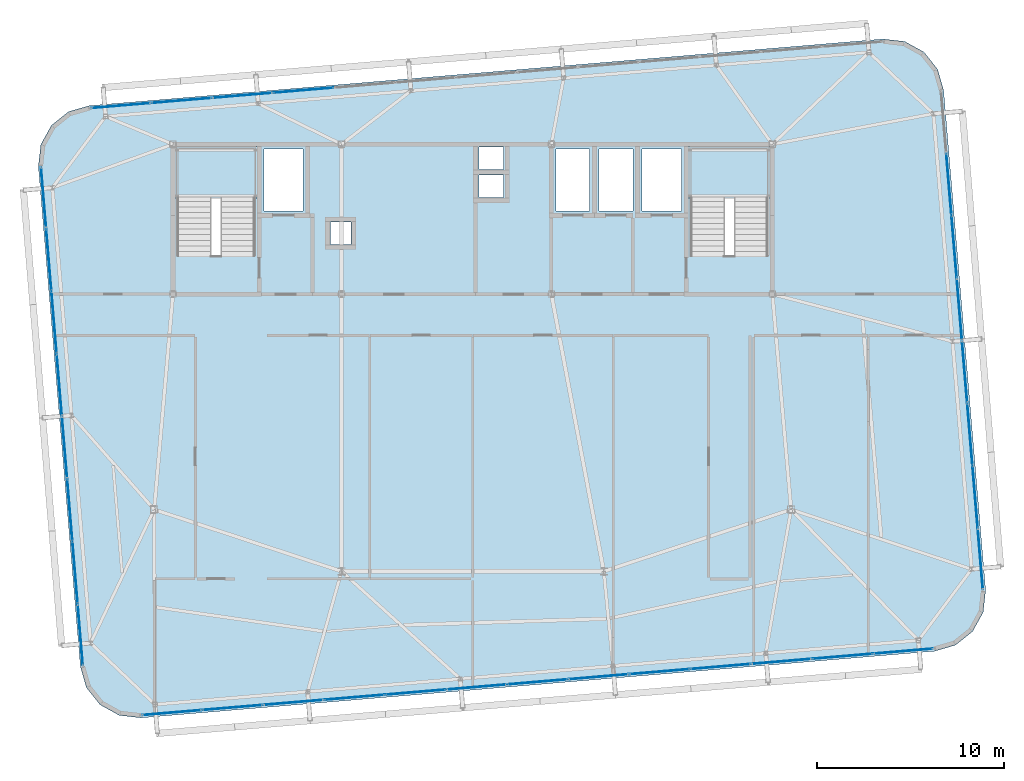
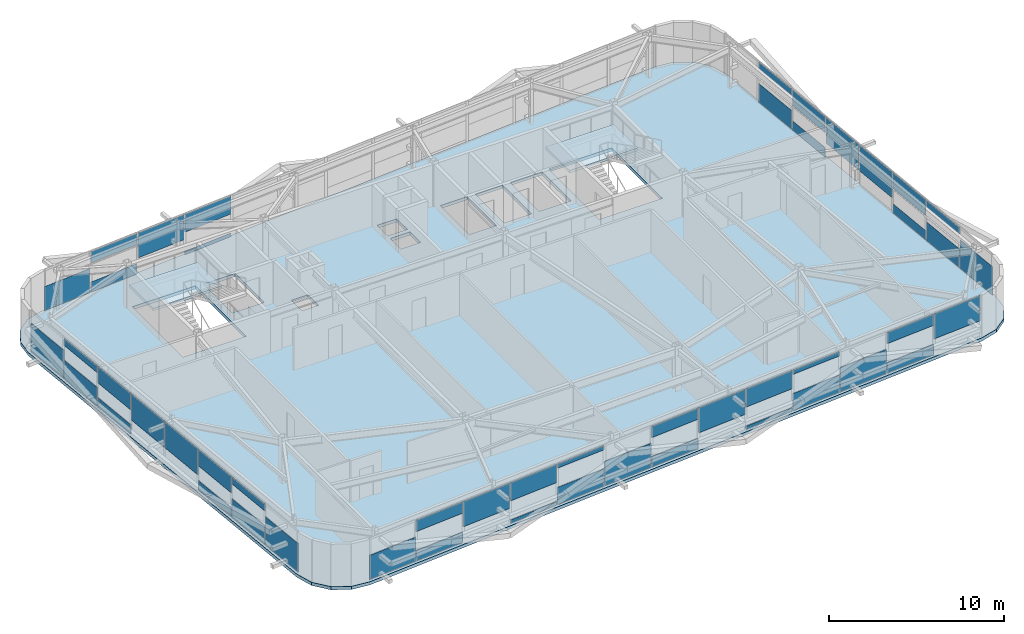
# One storey, part 32 of 46: 49 plates, 3 slabs, 6 elements without a shape of their own.
"""IFC4 building model written with IfcOpenShell, lengths in metres."""

from ifc_helpers import new_model, si_unit, direction, frame, origin, origin_2d, place, context, subcontext, project, spatial, polyline, rectangle, outline, extrude, source, transform, mapped, material, layer, layer_set, type_object, element, aggregate, save


model = new_model("IFC4")

# Units and contexts
model_context = context("Model", 3, precision=1e-05, world=origin(), true_north=direction((0.0, 1.0)))
body_context = subcontext(model_context, "Body", "Model", "MODEL_VIEW")
ifc_project = project(units=[si_unit("LENGTHUNIT", "METRE"), si_unit("AREAUNIT", "SQUARE_METRE"), si_unit("VOLUMEUNIT", "CUBIC_METRE"), si_unit("PLANEANGLEUNIT", "RADIAN"), si_unit("MASSUNIT", "GRAM", prefix="KILO")], contexts=[model_context])

# Site, building, storey
site_placement = place(None, origin())
site = spatial("IfcSite", under=ifc_project, at=site_placement, CompositionType="ELEMENT")
building_placement = place(site_placement, origin())
building = spatial("IfcBuilding", under=site, at=building_placement, Name="Taldren Reach Tower", CompositionType="ELEMENT")
storey_placement = place(building_placement, frame((0.0, 0.0, 188.300048828125)))
storey = spatial("IfcBuildingStorey", under=building, at=storey_placement, Name="L57", CompositionType="ELEMENT", Elevation=188.300048828125)

# Slab
ifc_material_1 = material(Name="Concrete N40 (40 MPa)", Category="concrete")
ifc_layer_1 = layer(ifc_material_1, 0.219970703125)
ifc_layer_set_1 = layer_set([ifc_layer_1], Name="Concrete N40 (40 MPa)")
slab_type_1 = type_object("IfcSlabType", Name="SL-FLR-220", PredefinedType="FLOOR", material=ifc_layer_set_1)
slab_1_placement = place(storey_placement, frame((0.0, 0.0, -0.219970703125)))
element("IfcSlab", 1, at=slab_1_placement, inside=storey, type_object=slab_type_1, Name="Suspended floor slab L57", PredefinedType="FLOOR", context=body_context, shape_type="SweptSolid", body=[
    extrude(outline(polyline([(59.647705078125, 4.935791015625), (60.772705078125, 5.25927734375), (61.688232421875, 5.98876953125), (62.254638671875, 7.012939453125), (62.38623046875, 8.17626953125), (60.1435546875, 34.882080078125), (59.820068359375, 36.007080078125), (59.090576171875, 36.922607421875), (58.06640625, 37.4892578125), (56.903076171875, 37.62060546875), (14.55224609375, 34.064208984375), (13.42724609375, 33.74072265625), (12.511962890625, 33.01123046875), (11.9453125, 31.987060546875), (11.813720703125, 30.82373046875), (14.056396484375, 4.117919921875), (14.3798828125, 2.992919921875), (15.109375, 2.077392578125), (16.1337890625, 1.5107421875), (17.296875, 1.37939453125), (59.647705078125, 4.935791015625)]), holes=[polyline([(19.219970703125, 26.050048828125), (23.3798828125, 26.050048828125), (23.3798828125, 31.820068359375), (19.219970703125, 31.820068359375), (19.219970703125, 26.050048828125)]), polyline([(46.6201171875, 26.050048828125), (50.780029296875, 26.050048828125), (50.780029296875, 31.820068359375), (46.6201171875, 31.820068359375), (46.6201171875, 26.050048828125)]), polyline([(23.85009765625, 28.449951171875), (25.949951171875, 28.449951171875), (25.949951171875, 31.75), (23.85009765625, 31.75), (23.85009765625, 28.449951171875)]), polyline([(44.050048828125, 28.449951171875), (46.14990234375, 28.449951171875), (46.14990234375, 31.75), (44.050048828125, 31.75), (44.050048828125, 28.449951171875)]), polyline([(39.449951171875, 28.449951171875), (41.25, 28.449951171875), (41.25, 31.75), (39.449951171875, 31.75), (39.449951171875, 28.449951171875)]), polyline([(41.75, 28.449951171875), (43.550048828125, 28.449951171875), (43.550048828125, 31.75), (41.75, 31.75), (41.75, 28.449951171875)]), polyline([(35.35009765625, 30.64990234375), (36.64990234375, 30.64990234375), (36.64990234375, 31.85009765625), (35.35009765625, 31.85009765625), (35.35009765625, 30.64990234375)]), polyline([(35.35009765625, 29.14990234375), (36.64990234375, 29.14990234375), (36.64990234375, 30.35009765625), (35.35009765625, 30.35009765625), (35.35009765625, 29.14990234375)]), polyline([(27.39990234375, 26.64990234375), (28.5, 26.64990234375), (28.5, 27.85009765625), (27.39990234375, 27.85009765625), (27.39990234375, 26.64990234375)])]), origin(), (0.0, 0.0, 1.0), 0.219970703125),
])

# Stair, slab
ifc_material_2 = material(Name="Concrete S50 (50 MPa)", Category="concrete")
stair_type = type_object("IfcStairType", Name="ST-HT-315", PredefinedType="HALF_TURN_STAIR", material=ifc_material_2)
stair_1_placement = place(storey_placement, origin())
stair_1 = element("IfcStair", 2, at=stair_1_placement, inside=storey, type_object=stair_type, Name="Fire-isolated exit stair ST1 L57", PredefinedType="HALF_TURN_STAIR")
ifc_layer_2 = layer(ifc_material_2, 0.179931640625)
ifc_layer_set_2 = layer_set([ifc_layer_2], Name="Concrete S50 (50 MPa)")
slab_type_2 = type_object("IfcSlabType", Name="SL-LAND-180", PredefinedType="LANDING", material=ifc_layer_set_2)
slab_2_placement = place(storey_placement, frame((0.0, 0.0, 1.39501953125)))
slab_2 = element("IfcSlab", 3, at=slab_2_placement, type_object=slab_type_2, Name="ST1 landing 1", PredefinedType="LANDING", context=body_context, shape_type="SweptSolid", body=[
    extrude(outline(polyline([(19.0400390625, 29.135009765625), (23.56005859375, 29.135009765625), (23.56005859375, 31.8701171875), (19.0400390625, 31.8701171875), (19.0400390625, 29.135009765625)])), origin(), (0.0, 0.0, 1.0), 0.179931640625),
])
aggregate(stair_1, [slab_2])

stair_2_placement = place(storey_placement, origin())
stair_2 = element("IfcStair", 4, at=stair_2_placement, inside=storey, type_object=stair_type, Name="Fire-isolated exit stair ST2 L57", PredefinedType="HALF_TURN_STAIR")
slab_3_placement = place(storey_placement, frame((0.0, 0.0, 1.39501953125)))
slab_3 = element("IfcSlab", 5, at=slab_3_placement, type_object=slab_type_2, Name="ST2 landing 1", PredefinedType="LANDING", context=body_context, shape_type="SweptSolid", body=[
    extrude(outline(polyline([(46.43994140625, 29.135009765625), (50.9599609375, 29.135009765625), (50.9599609375, 31.8701171875), (46.43994140625, 31.8701171875), (46.43994140625, 29.135009765625)])), origin(), (0.0, 0.0, 1.0), 0.179931640625),
])
aggregate(stair_2, [slab_3])

# Curtain wall, plates
ifc_material_3 = material(Name="Aluminium and Low-E Glass Unitised System", Category="aluminium")
ifc_layer_3 = layer(ifc_material_3, 0.159912109375)
ifc_layer_set_3 = layer_set([ifc_layer_3], Name="Aluminium and Low-E Glass Unitised System")
curtain_wall_type = type_object("IfcCurtainWallType", Name="CW-SYS-5", PredefinedType="NOTDEFINED", material=ifc_layer_set_3)
curtain_wall_1_placement = place(storey_placement, origin())
curtain_wall_1 = element("IfcCurtainWall", 6, at=curtain_wall_1_placement, inside=storey, type_object=curtain_wall_type, Name="Unitised curtain wall CW-L57-S", PredefinedType="NOTDEFINED")
ifc_material_4 = material(Name="Acoustic Triple-Laminated IGU", Category="glass")
ifc_layer_4 = layer(ifc_material_4, 0.035888671875)
ifc_layer_set_4 = layer_set([ifc_layer_4], Name="Acoustic Triple-Laminated IGU")
plate_type = type_object("IfcPlateType", Name="CW-PNL-IGU36", PredefinedType="CURTAIN_PANEL", material=ifc_layer_set_4)
shared_shape_1 = source(origin(), body_context, "Body", "SweptSolid", [
    extrude(rectangle(XDim=3.164306640625, YDim=0.035888671875, at=origin_2d()), origin(), (0.0, 0.0, 1.0), 1.734130859375),
])
plate_1_placement = place(storey_placement, frame((57.98974609375, 4.93701171875, 1.1357421875), z_axis=(0.0, 0.0, 1.0), x_axis=(0.996492854922, 0.083677894865, 0.0)))
plate_1 = element("IfcPlate", 7, at=plate_1_placement, type_object=plate_type, Name="CW-5 panel 13.1 part 1", PredefinedType="CURTAIN_PANEL", context=body_context, shape_type="MappedRepresentation", body=[
    mapped(shared_shape_1, transform((0.0, 0.0, 0.0), scale=1.0)),
])
shared_shape_2 = source(origin(), body_context, "Body", "SweptSolid", [
    extrude(rectangle(XDim=3.19921875, YDim=0.035888671875, at=origin_2d()), origin(), (0.0, 0.0, 1.0), 0.711181640625),
])
plate_2_placement = place(storey_placement, frame((54.74951171875, 4.664794921875, 0.06005859375), z_axis=(0.0, 0.0, 1.0), x_axis=(0.996492854922, 0.083677894865, 0.0)))
plate_2 = element("IfcPlate", 8, at=plate_2_placement, type_object=plate_type, Name="CW-5 panel 12.1 part 1", PredefinedType="CURTAIN_PANEL", context=body_context, shape_type="MappedRepresentation", body=[
    mapped(shared_shape_2, transform((0.0, 0.0, 0.0), scale=1.0)),
])
shared_shape_3 = source(origin(), body_context, "Body", "SweptSolid", [
    extrude(rectangle(XDim=3.19921875, YDim=0.035888671875, at=origin_2d()), origin(), (0.0, 0.0, 1.0), 0.762939453125),
])
plate_3_placement = place(storey_placement, frame((54.74951171875, 4.664794921875, 2.10693359375), z_axis=(0.0, 0.0, 1.0), x_axis=(0.996492854922, 0.083677894865, 0.0)))
plate_3 = element("IfcPlate", 9, at=plate_3_placement, type_object=plate_type, Name="CW-5 panel 12.1 part 2", PredefinedType="CURTAIN_PANEL", context=body_context, shape_type="MappedRepresentation", body=[
    mapped(shared_shape_3, transform((0.0, 0.0, 0.0), scale=1.0)),
])
shared_shape_4 = source(origin(), body_context, "Body", "SweptSolid", [
    extrude(rectangle(XDim=3.19921875, YDim=0.035888671875, at=origin_2d()), origin(), (0.0, 0.0, 1.0), 1.682373046875),
])
plate_4_placement = place(storey_placement, frame((51.49169921875, 4.391357421875, 0.06005859375), z_axis=(0.0, 0.0, 1.0), x_axis=(0.996492854922, 0.083677894865, 0.0)))
plate_4 = element("IfcPlate", 10, at=plate_4_placement, type_object=plate_type, Name="CW-5 panel 11.1 part 1", PredefinedType="CURTAIN_PANEL", context=body_context, shape_type="MappedRepresentation", body=[
    mapped(shared_shape_4, transform((0.0, 0.0, 0.0), scale=1.0)),
])
shared_shape_5 = source(origin(), body_context, "Body", "SweptSolid", [
    extrude(rectangle(XDim=3.19921875, YDim=0.035888671875, at=origin_2d()), origin(), (0.0, 0.0, 1.0), 1.190673828125),
])
plate_5_placement = place(storey_placement, frame((48.23388671875, 4.11767578125, 0.06005859375), z_axis=(0.0, 0.0, 1.0), x_axis=(0.996492854922, 0.083677894865, 0.0)))
plate_5 = element("IfcPlate", 11, at=plate_5_placement, type_object=plate_type, Name="CW-5 panel 10.1 part 1", PredefinedType="CURTAIN_PANEL", context=body_context, shape_type="MappedRepresentation", body=[
    mapped(shared_shape_5, transform((0.0, 0.0, 0.0), scale=1.0)),
])
shared_shape_6 = source(origin(), body_context, "Body", "SweptSolid", [
    extrude(rectangle(XDim=3.19921875, YDim=0.035888671875, at=origin_2d()), origin(), (0.0, 0.0, 1.0), 0.283447265625),
])
plate_6_placement = place(storey_placement, frame((48.23388671875, 4.11767578125, 2.58642578125), z_axis=(0.0, 0.0, 1.0), x_axis=(0.996492854922, 0.083677894865, 0.0)))
plate_6 = element("IfcPlate", 12, at=plate_6_placement, type_object=plate_type, Name="CW-5 panel 10.1 part 2", PredefinedType="CURTAIN_PANEL", context=body_context, shape_type="MappedRepresentation", body=[
    mapped(shared_shape_6, transform((0.0, 0.0, 0.0), scale=1.0)),
])
shared_shape_7 = source(origin(), body_context, "Body", "SweptSolid", [
    extrude(rectangle(XDim=3.19921875, YDim=0.035888671875, at=origin_2d()), origin(), (0.0, 0.0, 1.0), 0.219482421875),
])
plate_7_placement = place(storey_placement, frame((44.97607421875, 3.84423828125, 0.06005859375), z_axis=(0.0, 0.0, 1.0), x_axis=(0.996492854922, 0.083677894865, 0.0)))
plate_7 = element("IfcPlate", 13, at=plate_7_placement, type_object=plate_type, Name="CW-5 panel 9.1 part 1", PredefinedType="CURTAIN_PANEL", context=body_context, shape_type="MappedRepresentation", body=[
    mapped(shared_shape_7, transform((0.0, 0.0, 0.0), scale=1.0)),
])
shared_shape_8 = source(origin(), body_context, "Body", "SweptSolid", [
    extrude(rectangle(XDim=3.19921875, YDim=0.035888671875, at=origin_2d()), origin(), (0.0, 0.0, 1.0), 1.254638671875),
])
plate_8_placement = place(storey_placement, frame((44.97607421875, 3.84423828125, 1.615234375), z_axis=(0.0, 0.0, 1.0), x_axis=(0.996492854922, 0.083677894865, 0.0)))
plate_8 = element("IfcPlate", 14, at=plate_8_placement, type_object=plate_type, Name="CW-5 panel 9.1 part 2", PredefinedType="CURTAIN_PANEL", context=body_context, shape_type="MappedRepresentation", body=[
    mapped(shared_shape_8, transform((0.0, 0.0, 0.0), scale=1.0)),
])
shared_shape_9 = source(origin(), body_context, "Body", "SweptSolid", [
    extrude(rectangle(XDim=3.19921875, YDim=0.035888671875, at=origin_2d()), origin(), (0.0, 0.0, 1.0), 1.73828125),
])
plate_9_placement = place(storey_placement, frame((41.71826171875, 3.570556640625, 1.131591796875), z_axis=(0.0, 0.0, 1.0), x_axis=(0.996492854922, 0.083677894865, 0.0)))
plate_9 = element("IfcPlate", 15, at=plate_9_placement, type_object=plate_type, Name="CW-5 panel 8.1 part 1", PredefinedType="CURTAIN_PANEL", context=body_context, shape_type="MappedRepresentation", body=[
    mapped(shared_shape_9, transform((0.0, 0.0, 0.0), scale=1.0)),
])
shared_shape_10 = source(origin(), body_context, "Body", "SweptSolid", [
    extrude(rectangle(XDim=3.19921875, YDim=0.035888671875, at=origin_2d()), origin(), (0.0, 0.0, 1.0), 0.70703125),
])
plate_10_placement = place(storey_placement, frame((38.460693359375, 3.297119140625, 0.06005859375), z_axis=(0.0, 0.0, 1.0), x_axis=(0.996492854922, 0.083677894865, 0.0)))
plate_10 = element("IfcPlate", 16, at=plate_10_placement, type_object=plate_type, Name="CW-5 panel 7.1 part 1", PredefinedType="CURTAIN_PANEL", context=body_context, shape_type="MappedRepresentation", body=[
    mapped(shared_shape_10, transform((0.0, 0.0, 0.0), scale=1.0)),
])
shared_shape_11 = source(origin(), body_context, "Body", "SweptSolid", [
    extrude(rectangle(XDim=3.19921875, YDim=0.035888671875, at=origin_2d()), origin(), (0.0, 0.0, 1.0), 0.76708984375),
])
plate_11_placement = place(storey_placement, frame((38.460693359375, 3.297119140625, 2.102783203125), z_axis=(0.0, 0.0, 1.0), x_axis=(0.996492854922, 0.083677894865, 0.0)))
plate_11 = element("IfcPlate", 17, at=plate_11_placement, type_object=plate_type, Name="CW-5 panel 7.1 part 2", PredefinedType="CURTAIN_PANEL", context=body_context, shape_type="MappedRepresentation", body=[
    mapped(shared_shape_11, transform((0.0, 0.0, 0.0), scale=1.0)),
])
shared_shape_12 = source(origin(), body_context, "Body", "SweptSolid", [
    extrude(rectangle(XDim=3.19921875, YDim=0.035888671875, at=origin_2d()), origin(), (0.0, 0.0, 1.0), 1.67822265625),
])
plate_12_placement = place(storey_placement, frame((35.202880859375, 3.0234375, 0.06005859375), z_axis=(0.0, 0.0, 1.0), x_axis=(0.996492854922, 0.083677894865, 0.0)))
plate_12 = element("IfcPlate", 18, at=plate_12_placement, type_object=plate_type, Name="CW-5 panel 6.1 part 1", PredefinedType="CURTAIN_PANEL", context=body_context, shape_type="MappedRepresentation", body=[
    mapped(shared_shape_12, transform((0.0, 0.0, 0.0), scale=1.0)),
])
shared_shape_13 = source(origin(), body_context, "Body", "SweptSolid", [
    extrude(rectangle(XDim=3.19921875, YDim=0.035888671875, at=origin_2d()), origin(), (0.0, 0.0, 1.0), 1.194580078125),
])
plate_13_placement = place(storey_placement, frame((31.945068359375, 2.75, 0.06005859375), z_axis=(0.0, 0.0, 1.0), x_axis=(0.996492854922, 0.083677894865, 0.0)))
plate_13 = element("IfcPlate", 19, at=plate_13_placement, type_object=plate_type, Name="CW-5 panel 5.1 part 1", PredefinedType="CURTAIN_PANEL", context=body_context, shape_type="MappedRepresentation", body=[
    mapped(shared_shape_13, transform((0.0, 0.0, 0.0), scale=1.0)),
])
shared_shape_14 = source(origin(), body_context, "Body", "SweptSolid", [
    extrude(rectangle(XDim=3.19921875, YDim=0.035888671875, at=origin_2d()), origin(), (0.0, 0.0, 1.0), 0.279296875),
])
plate_14_placement = place(storey_placement, frame((31.945068359375, 2.75, 2.590576171875), z_axis=(0.0, 0.0, 1.0), x_axis=(0.996492854922, 0.083677894865, 0.0)))
plate_14 = element("IfcPlate", 20, at=plate_14_placement, type_object=plate_type, Name="CW-5 panel 5.1 part 2", PredefinedType="CURTAIN_PANEL", context=body_context, shape_type="MappedRepresentation", body=[
    mapped(shared_shape_14, transform((0.0, 0.0, 0.0), scale=1.0)),
])
shared_shape_15 = source(origin(), body_context, "Body", "SweptSolid", [
    extrude(rectangle(XDim=3.19921875, YDim=0.035888671875, at=origin_2d()), origin(), (0.0, 0.0, 1.0), 0.223388671875),
])
plate_15_placement = place(storey_placement, frame((28.687255859375, 2.476318359375, 0.06005859375), z_axis=(0.0, 0.0, 1.0), x_axis=(0.996492854922, 0.083677894865, 0.0)))
plate_15 = element("IfcPlate", 21, at=plate_15_placement, type_object=plate_type, Name="CW-5 panel 4.1 part 1", PredefinedType="CURTAIN_PANEL", context=body_context, shape_type="MappedRepresentation", body=[
    mapped(shared_shape_15, transform((0.0, 0.0, 0.0), scale=1.0)),
])

# Curtain wall, plate
curtain_wall_2_placement = place(storey_placement, origin())
curtain_wall_2 = element("IfcCurtainWall", 22, at=curtain_wall_2_placement, inside=storey, type_object=curtain_wall_type, Name="Unitised curtain wall CW-L57-N", PredefinedType="NOTDEFINED")
plate_16_placement = place(storey_placement, frame((25.966064453125, 34.88232421875, 0.06005859375), z_axis=(0.0, 0.0, 1.0), x_axis=(-0.99649285657, -0.083677875247, 0.0)))
plate_16 = element("IfcPlate", 23, at=plate_16_placement, type_object=plate_type, Name="CW-5 panel 10.1 part 1", PredefinedType="CURTAIN_PANEL", context=body_context, shape_type="MappedRepresentation", body=[
    mapped(shared_shape_15, transform((0.0, 0.0, 0.0), scale=1.0)),
])

# Plate
shared_shape_16 = source(origin(), body_context, "Body", "SweptSolid", [
    extrude(rectangle(XDim=3.19921875, YDim=0.035888671875, at=origin_2d()), origin(), (0.0, 0.0, 1.0), 1.25048828125),
])
plate_17_placement = place(storey_placement, frame((28.687255859375, 2.476318359375, 1.619384765625), z_axis=(0.0, 0.0, 1.0), x_axis=(0.996492854922, 0.083677894865, 0.0)))
plate_17 = element("IfcPlate", 24, at=plate_17_placement, type_object=plate_type, Name="CW-5 panel 4.1 part 2", PredefinedType="CURTAIN_PANEL", context=body_context, shape_type="MappedRepresentation", body=[
    mapped(shared_shape_16, transform((0.0, 0.0, 0.0), scale=1.0)),
])

plate_18_placement = place(storey_placement, frame((25.966064453125, 34.88232421875, 1.619384765625), z_axis=(0.0, 0.0, 1.0), x_axis=(-0.99649285657, -0.083677875247, 0.0)))
plate_18 = element("IfcPlate", 25, at=plate_18_placement, type_object=plate_type, Name="CW-5 panel 10.1 part 2", PredefinedType="CURTAIN_PANEL", context=body_context, shape_type="MappedRepresentation", body=[
    mapped(shared_shape_16, transform((0.0, 0.0, 0.0), scale=1.0)),
])

shared_shape_17 = source(origin(), body_context, "Body", "SweptSolid", [
    extrude(rectangle(XDim=3.19921875, YDim=0.035888671875, at=origin_2d()), origin(), (0.0, 0.0, 1.0), 1.742431640625),
])
plate_19_placement = place(storey_placement, frame((25.429443359375, 2.202880859375, 1.12744140625), z_axis=(0.0, 0.0, 1.0), x_axis=(0.996492854922, 0.083677894865, 0.0)))
plate_19 = element("IfcPlate", 26, at=plate_19_placement, type_object=plate_type, Name="CW-5 panel 3.1 part 1", PredefinedType="CURTAIN_PANEL", context=body_context, shape_type="MappedRepresentation", body=[
    mapped(shared_shape_17, transform((0.0, 0.0, 0.0), scale=1.0)),
])

plate_20_placement = place(storey_placement, frame((22.708251953125, 34.608642578125, 1.12744140625), z_axis=(0.0, 0.0, 1.0), x_axis=(-0.99649285657, -0.083677875247, 0.0)))
plate_20 = element("IfcPlate", 27, at=plate_20_placement, type_object=plate_type, Name="CW-5 panel 11.1 part 1", PredefinedType="CURTAIN_PANEL", context=body_context, shape_type="MappedRepresentation", body=[
    mapped(shared_shape_17, transform((0.0, 0.0, 0.0), scale=1.0)),
])

shared_shape_18 = source(origin(), body_context, "Body", "SweptSolid", [
    extrude(rectangle(XDim=3.19921875, YDim=0.035888671875, at=origin_2d()), origin(), (0.0, 0.0, 1.0), 0.702880859375),
])
plate_21_placement = place(storey_placement, frame((22.171875, 1.92919921875, 0.06005859375), z_axis=(0.0, 0.0, 1.0), x_axis=(0.996492854922, 0.083677894865, 0.0)))
plate_21 = element("IfcPlate", 28, at=plate_21_placement, type_object=plate_type, Name="CW-5 panel 2.1 part 1", PredefinedType="CURTAIN_PANEL", context=body_context, shape_type="MappedRepresentation", body=[
    mapped(shared_shape_18, transform((0.0, 0.0, 0.0), scale=1.0)),
])

plate_22_placement = place(storey_placement, frame((19.45068359375, 34.335205078125, 0.06005859375), z_axis=(0.0, 0.0, 1.0), x_axis=(-0.99649285657, -0.083677875247, 0.0)))
plate_22 = element("IfcPlate", 29, at=plate_22_placement, type_object=plate_type, Name="CW-5 panel 12.1 part 1", PredefinedType="CURTAIN_PANEL", context=body_context, shape_type="MappedRepresentation", body=[
    mapped(shared_shape_18, transform((0.0, 0.0, 0.0), scale=1.0)),
])

shared_shape_19 = source(origin(), body_context, "Body", "SweptSolid", [
    extrude(rectangle(XDim=3.19921875, YDim=0.035888671875, at=origin_2d()), origin(), (0.0, 0.0, 1.0), 0.771240234375),
])
plate_23_placement = place(storey_placement, frame((22.171875, 1.92919921875, 2.0986328125), z_axis=(0.0, 0.0, 1.0), x_axis=(0.996492854922, 0.083677894865, 0.0)))
plate_23 = element("IfcPlate", 30, at=plate_23_placement, type_object=plate_type, Name="CW-5 panel 2.1 part 2", PredefinedType="CURTAIN_PANEL", context=body_context, shape_type="MappedRepresentation", body=[
    mapped(shared_shape_19, transform((0.0, 0.0, 0.0), scale=1.0)),
])

plate_24_placement = place(storey_placement, frame((19.45068359375, 34.335205078125, 2.0986328125), z_axis=(0.0, 0.0, 1.0), x_axis=(-0.99649285657, -0.083677875247, 0.0)))
plate_24 = element("IfcPlate", 31, at=plate_24_placement, type_object=plate_type, Name="CW-5 panel 12.1 part 2", PredefinedType="CURTAIN_PANEL", context=body_context, shape_type="MappedRepresentation", body=[
    mapped(shared_shape_19, transform((0.0, 0.0, 0.0), scale=1.0)),
])

shared_shape_20 = source(origin(), body_context, "Body", "SweptSolid", [
    extrude(rectangle(XDim=3.164306640625, YDim=0.035888671875, at=origin_2d()), origin(), (0.0, 0.0, 1.0), 1.674072265625),
])
plate_25_placement = place(storey_placement, frame((18.931396484375, 1.6572265625, 0.06005859375), z_axis=(0.0, 0.0, 1.0), x_axis=(0.996492854922, 0.083677894865, 0.0)))
plate_25 = element("IfcPlate", 32, at=plate_25_placement, type_object=plate_type, Name="CW-5 panel 1.1 part 1", PredefinedType="CURTAIN_PANEL", context=body_context, shape_type="MappedRepresentation", body=[
    mapped(shared_shape_20, transform((0.0, 0.0, 0.0), scale=1.0)),
])

aggregate(curtain_wall_1, [plate_25, plate_21, plate_23, plate_19, plate_15, plate_17, plate_13, plate_14, plate_12, plate_10, plate_11, plate_9, plate_7, plate_8, plate_5, plate_6, plate_4, plate_2, plate_3, plate_1])

plate_26_placement = place(storey_placement, frame((16.210205078125, 34.06298828125, 0.06005859375), z_axis=(0.0, 0.0, 1.0), x_axis=(-0.99649285657, -0.083677875247, 0.0)))
plate_26 = element("IfcPlate", 33, at=plate_26_placement, type_object=plate_type, Name="CW-5 panel 13.1 part 1", PredefinedType="CURTAIN_PANEL", context=body_context, shape_type="MappedRepresentation", body=[
    mapped(shared_shape_20, transform((0.0, 0.0, 0.0), scale=1.0)),
])

aggregate(curtain_wall_2, [plate_16, plate_18, plate_20, plate_22, plate_24, plate_26])

# Curtain wall, plates
curtain_wall_3_placement = place(storey_placement, origin())
curtain_wall_3 = element("IfcCurtainWall", 34, at=curtain_wall_3_placement, inside=storey, type_object=curtain_wall_type, Name="Unitised curtain wall CW-L57-W", PredefinedType="NOTDEFINED")
shared_shape_21 = source(origin(), body_context, "Body", "SweptSolid", [
    extrude(rectangle(XDim=3.2451171875, YDim=0.035888671875, at=origin_2d()), origin(), (0.0, 0.0, 1.0), 1.980224609375),
])
plate_27_placement = place(storey_placement, frame((12.094970703125, 29.14892578125, 0.06005859375), z_axis=(0.0, 0.0, 1.0), x_axis=(0.083677979808, -0.996492847789, 0.0)))
plate_27 = element("IfcPlate", 35, at=plate_27_placement, type_object=plate_type, Name="CW-5 panel 1.1 part 1", PredefinedType="CURTAIN_PANEL", context=body_context, shape_type="MappedRepresentation", body=[
    mapped(shared_shape_21, transform((0.0, 0.0, 0.0), scale=1.0)),
])
plate_28_placement = place(storey_placement, frame((14.05419921875, 5.816162109375, 0.06005859375), z_axis=(0.0, 0.0, 1.0), x_axis=(0.083677979808, -0.996492847789, 0.0)))
plate_28 = element("IfcPlate", 36, at=plate_28_placement, type_object=plate_type, Name="CW-5 panel 8.1 part 1", PredefinedType="CURTAIN_PANEL", context=body_context, shape_type="MappedRepresentation", body=[
    mapped(shared_shape_21, transform((0.0, 0.0, 0.0), scale=1.0)),
])

# Curtain wall, plate
curtain_wall_4_placement = place(storey_placement, origin())
curtain_wall_4 = element("IfcCurtainWall", 37, at=curtain_wall_4_placement, inside=storey, type_object=curtain_wall_type, Name="Unitised curtain wall CW-L57-E", PredefinedType="NOTDEFINED")
plate_29_placement = place(storey_placement, frame((62.105224609375, 9.85107421875, 0.06005859375), z_axis=(0.0, 0.0, 1.0), x_axis=(-0.083677979808, 0.996492847789, 0.0)))
plate_29 = element("IfcPlate", 38, at=plate_29_placement, type_object=plate_type, Name="CW-5 panel 1.1 part 1", PredefinedType="CURTAIN_PANEL", context=body_context, shape_type="MappedRepresentation", body=[
    mapped(shared_shape_21, transform((0.0, 0.0, 0.0), scale=1.0)),
])

# Plate
shared_shape_22 = source(origin(), body_context, "Body", "SweptSolid", [
    extrude(rectangle(XDim=3.280029296875, YDim=0.035888671875, at=origin_2d()), origin(), (0.0, 0.0, 1.0), 1.31298828125),
])
plate_30_placement = place(storey_placement, frame((12.373779296875, 25.828125, 0.059814453125), z_axis=(0.0, 0.0, 1.0), x_axis=(0.083677979808, -0.996492847789, 0.0)))
plate_30 = element("IfcPlate", 39, at=plate_30_placement, type_object=plate_type, Name="CW-5 panel 2.1 part 1", PredefinedType="CURTAIN_PANEL", context=body_context, shape_type="MappedRepresentation", body=[
    mapped(shared_shape_22, transform((0.0, 0.0, 0.0), scale=1.0)),
])

plate_31_placement = place(storey_placement, frame((13.775390625, 9.136962890625, 0.059814453125), z_axis=(0.0, 0.0, 1.0), x_axis=(0.083677979808, -0.996492847789, 0.0)))
plate_31 = element("IfcPlate", 40, at=plate_31_placement, type_object=plate_type, Name="CW-5 panel 7.1 part 1", PredefinedType="CURTAIN_PANEL", context=body_context, shape_type="MappedRepresentation", body=[
    mapped(shared_shape_22, transform((0.0, 0.0, 0.0), scale=1.0)),
])

plate_32_placement = place(storey_placement, frame((61.826171875, 13.171875, 0.059814453125), z_axis=(0.0, 0.0, 1.0), x_axis=(-0.083677979808, 0.996492847789, 0.0)))
plate_32 = element("IfcPlate", 41, at=plate_32_placement, type_object=plate_type, Name="CW-5 panel 2.1 part 1", PredefinedType="CURTAIN_PANEL", context=body_context, shape_type="MappedRepresentation", body=[
    mapped(shared_shape_22, transform((0.0, 0.0, 0.0), scale=1.0)),
])

plate_33_placement = place(storey_placement, frame((60.424560546875, 29.863037109375, 0.059814453125), z_axis=(0.0, 0.0, 1.0), x_axis=(-0.083677979808, 0.996492847789, 0.0)))
plate_33 = element("IfcPlate", 42, at=plate_33_placement, type_object=plate_type, Name="CW-5 panel 7.1 part 1", PredefinedType="CURTAIN_PANEL", context=body_context, shape_type="MappedRepresentation", body=[
    mapped(shared_shape_22, transform((0.0, 0.0, 0.0), scale=1.0)),
])

shared_shape_23 = source(origin(), body_context, "Body", "SweptSolid", [
    extrude(rectangle(XDim=3.280029296875, YDim=0.035888671875, at=origin_2d()), origin(), (0.0, 0.0, 1.0), 0.466552734375),
])
plate_34_placement = place(storey_placement, frame((12.373779296875, 25.828125, 2.4033203125), z_axis=(0.0, 0.0, 1.0), x_axis=(0.083677979808, -0.996492847789, 0.0)))
plate_34 = element("IfcPlate", 43, at=plate_34_placement, type_object=plate_type, Name="CW-5 panel 2.1 part 2", PredefinedType="CURTAIN_PANEL", context=body_context, shape_type="MappedRepresentation", body=[
    mapped(shared_shape_23, transform((0.0, 0.0, 0.0), scale=1.0)),
])

plate_35_placement = place(storey_placement, frame((13.775390625, 9.136962890625, 2.4033203125), z_axis=(0.0, 0.0, 1.0), x_axis=(0.083677979808, -0.996492847789, 0.0)))
plate_35 = element("IfcPlate", 44, at=plate_35_placement, type_object=plate_type, Name="CW-5 panel 7.1 part 2", PredefinedType="CURTAIN_PANEL", context=body_context, shape_type="MappedRepresentation", body=[
    mapped(shared_shape_23, transform((0.0, 0.0, 0.0), scale=1.0)),
])

plate_36_placement = place(storey_placement, frame((61.826171875, 13.171875, 2.4033203125), z_axis=(0.0, 0.0, 1.0), x_axis=(-0.083677979808, 0.996492847789, 0.0)))
plate_36 = element("IfcPlate", 45, at=plate_36_placement, type_object=plate_type, Name="CW-5 panel 2.1 part 2", PredefinedType="CURTAIN_PANEL", context=body_context, shape_type="MappedRepresentation", body=[
    mapped(shared_shape_23, transform((0.0, 0.0, 0.0), scale=1.0)),
])

plate_37_placement = place(storey_placement, frame((60.424560546875, 29.863037109375, 2.4033203125), z_axis=(0.0, 0.0, 1.0), x_axis=(-0.083677979808, 0.996492847789, 0.0)))
plate_37 = element("IfcPlate", 46, at=plate_37_placement, type_object=plate_type, Name="CW-5 panel 7.1 part 2", PredefinedType="CURTAIN_PANEL", context=body_context, shape_type="MappedRepresentation", body=[
    mapped(shared_shape_23, transform((0.0, 0.0, 0.0), scale=1.0)),
])

shared_shape_24 = source(origin(), body_context, "Body", "SweptSolid", [
    extrude(rectangle(XDim=3.280029296875, YDim=0.035888671875, at=origin_2d()), origin(), (0.0, 0.0, 1.0), 0.645751953125),
])
plate_38_placement = place(storey_placement, frame((12.654052734375, 22.489990234375, 0.06005859375), z_axis=(0.0, 0.0, 1.0), x_axis=(0.083677979808, -0.996492847789, 0.0)))
plate_38 = element("IfcPlate", 47, at=plate_38_placement, type_object=plate_type, Name="CW-5 panel 3.1 part 1", PredefinedType="CURTAIN_PANEL", context=body_context, shape_type="MappedRepresentation", body=[
    mapped(shared_shape_24, transform((0.0, 0.0, 0.0), scale=1.0)),
])

plate_39_placement = place(storey_placement, frame((13.4951171875, 12.47509765625, 0.06005859375), z_axis=(0.0, 0.0, 1.0), x_axis=(0.083677979808, -0.996492847789, 0.0)))
plate_39 = element("IfcPlate", 48, at=plate_39_placement, type_object=plate_type, Name="CW-5 panel 6.1 part 1", PredefinedType="CURTAIN_PANEL", context=body_context, shape_type="MappedRepresentation", body=[
    mapped(shared_shape_24, transform((0.0, 0.0, 0.0), scale=1.0)),
])

plate_40_placement = place(storey_placement, frame((61.5458984375, 16.510009765625, 0.06005859375), z_axis=(0.0, 0.0, 1.0), x_axis=(-0.083677979808, 0.996492847789, 0.0)))
plate_40 = element("IfcPlate", 49, at=plate_40_placement, type_object=plate_type, Name="CW-5 panel 3.1 part 1", PredefinedType="CURTAIN_PANEL", context=body_context, shape_type="MappedRepresentation", body=[
    mapped(shared_shape_24, transform((0.0, 0.0, 0.0), scale=1.0)),
])

plate_41_placement = place(storey_placement, frame((60.705078125, 26.52490234375, 0.06005859375), z_axis=(0.0, 0.0, 1.0), x_axis=(-0.083677979808, 0.996492847789, 0.0)))
plate_41 = element("IfcPlate", 50, at=plate_41_placement, type_object=plate_type, Name="CW-5 panel 6.1 part 1", PredefinedType="CURTAIN_PANEL", context=body_context, shape_type="MappedRepresentation", body=[
    mapped(shared_shape_24, transform((0.0, 0.0, 0.0), scale=1.0)),
])

shared_shape_25 = source(origin(), body_context, "Body", "SweptSolid", [
    extrude(rectangle(XDim=3.280029296875, YDim=0.035888671875, at=origin_2d()), origin(), (0.0, 0.0, 1.0), 1.134033203125),
])
plate_42_placement = place(storey_placement, frame((12.654052734375, 22.489990234375, 1.73583984375), z_axis=(0.0, 0.0, 1.0), x_axis=(0.083677979808, -0.996492847789, 0.0)))
plate_42 = element("IfcPlate", 51, at=plate_42_placement, type_object=plate_type, Name="CW-5 panel 3.1 part 2", PredefinedType="CURTAIN_PANEL", context=body_context, shape_type="MappedRepresentation", body=[
    mapped(shared_shape_25, transform((0.0, 0.0, 0.0), scale=1.0)),
])

plate_43_placement = place(storey_placement, frame((13.4951171875, 12.47509765625, 1.73583984375), z_axis=(0.0, 0.0, 1.0), x_axis=(0.083677979808, -0.996492847789, 0.0)))
plate_43 = element("IfcPlate", 52, at=plate_43_placement, type_object=plate_type, Name="CW-5 panel 6.1 part 2", PredefinedType="CURTAIN_PANEL", context=body_context, shape_type="MappedRepresentation", body=[
    mapped(shared_shape_25, transform((0.0, 0.0, 0.0), scale=1.0)),
])

plate_44_placement = place(storey_placement, frame((61.5458984375, 16.510009765625, 1.73583984375), z_axis=(0.0, 0.0, 1.0), x_axis=(-0.083677979808, 0.996492847789, 0.0)))
plate_44 = element("IfcPlate", 53, at=plate_44_placement, type_object=plate_type, Name="CW-5 panel 3.1 part 2", PredefinedType="CURTAIN_PANEL", context=body_context, shape_type="MappedRepresentation", body=[
    mapped(shared_shape_25, transform((0.0, 0.0, 0.0), scale=1.0)),
])

plate_45_placement = place(storey_placement, frame((60.705078125, 26.52490234375, 1.73583984375), z_axis=(0.0, 0.0, 1.0), x_axis=(-0.083677979808, 0.996492847789, 0.0)))
plate_45 = element("IfcPlate", 54, at=plate_45_placement, type_object=plate_type, Name="CW-5 panel 6.1 part 2", PredefinedType="CURTAIN_PANEL", context=body_context, shape_type="MappedRepresentation", body=[
    mapped(shared_shape_25, transform((0.0, 0.0, 0.0), scale=1.0)),
])

shared_shape_26 = source(origin(), body_context, "Body", "SweptSolid", [
    extrude(rectangle(XDim=3.280029296875, YDim=0.035888671875, at=origin_2d()), origin(), (0.0, 0.0, 1.0), 1.80126953125),
])
plate_46_placement = place(storey_placement, frame((12.934326171875, 19.151611328125, 1.068603515625), z_axis=(0.0, 0.0, 1.0), x_axis=(0.083677979808, -0.996492847789, 0.0)))
plate_46 = element("IfcPlate", 55, at=plate_46_placement, type_object=plate_type, Name="CW-5 panel 4.1 part 1", PredefinedType="CURTAIN_PANEL", context=body_context, shape_type="MappedRepresentation", body=[
    mapped(shared_shape_26, transform((0.0, 0.0, 0.0), scale=1.0)),
])

plate_47_placement = place(storey_placement, frame((13.214599609375, 15.8134765625, 1.06884765625), z_axis=(0.0, 0.0, 1.0), x_axis=(0.083677979808, -0.996492847789, 0.0)))
plate_47 = element("IfcPlate", 56, at=plate_47_placement, type_object=plate_type, Name="CW-5 panel 5.1 part 1", PredefinedType="CURTAIN_PANEL", context=body_context, shape_type="MappedRepresentation", body=[
    mapped(shared_shape_26, transform((0.0, 0.0, 0.0), scale=1.0)),
])

aggregate(curtain_wall_3, [plate_27, plate_30, plate_34, plate_38, plate_42, plate_46, plate_47, plate_39, plate_43, plate_31, plate_35, plate_28])

plate_48_placement = place(storey_placement, frame((61.265625, 19.848388671875, 1.068603515625), z_axis=(0.0, 0.0, 1.0), x_axis=(-0.083677979808, 0.996492847789, 0.0)))
plate_48 = element("IfcPlate", 57, at=plate_48_placement, type_object=plate_type, Name="CW-5 panel 4.1 part 1", PredefinedType="CURTAIN_PANEL", context=body_context, shape_type="MappedRepresentation", body=[
    mapped(shared_shape_26, transform((0.0, 0.0, 0.0), scale=1.0)),
])

plate_49_placement = place(storey_placement, frame((60.9853515625, 23.1865234375, 1.06884765625), z_axis=(0.0, 0.0, 1.0), x_axis=(-0.083677979808, 0.996492847789, 0.0)))
plate_49 = element("IfcPlate", 58, at=plate_49_placement, type_object=plate_type, Name="CW-5 panel 5.1 part 1", PredefinedType="CURTAIN_PANEL", context=body_context, shape_type="MappedRepresentation", body=[
    mapped(shared_shape_26, transform((0.0, 0.0, 0.0), scale=1.0)),
])

aggregate(curtain_wall_4, [plate_29, plate_32, plate_36, plate_40, plate_44, plate_48, plate_49, plate_41, plate_45, plate_33, plate_37])

save(model, "model.ifc")
